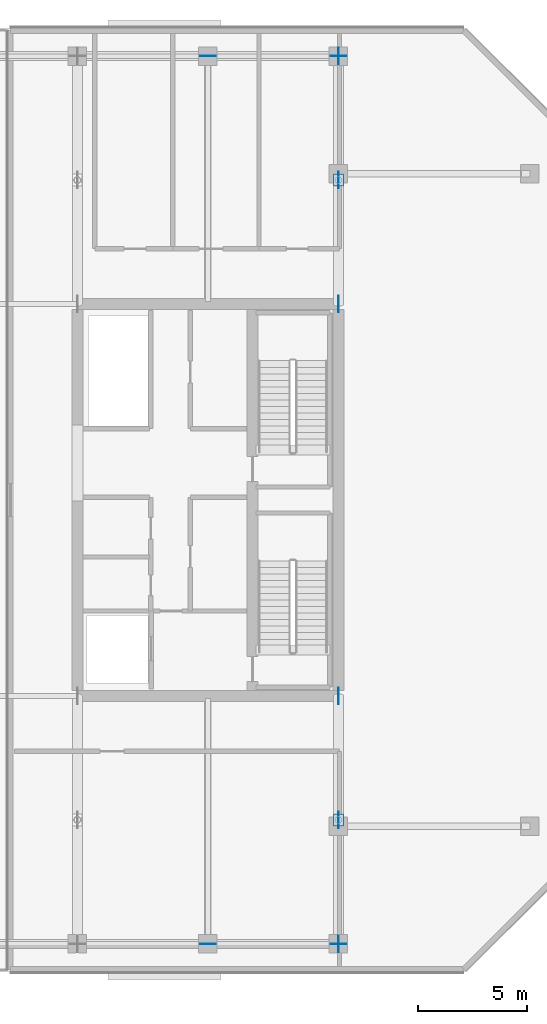
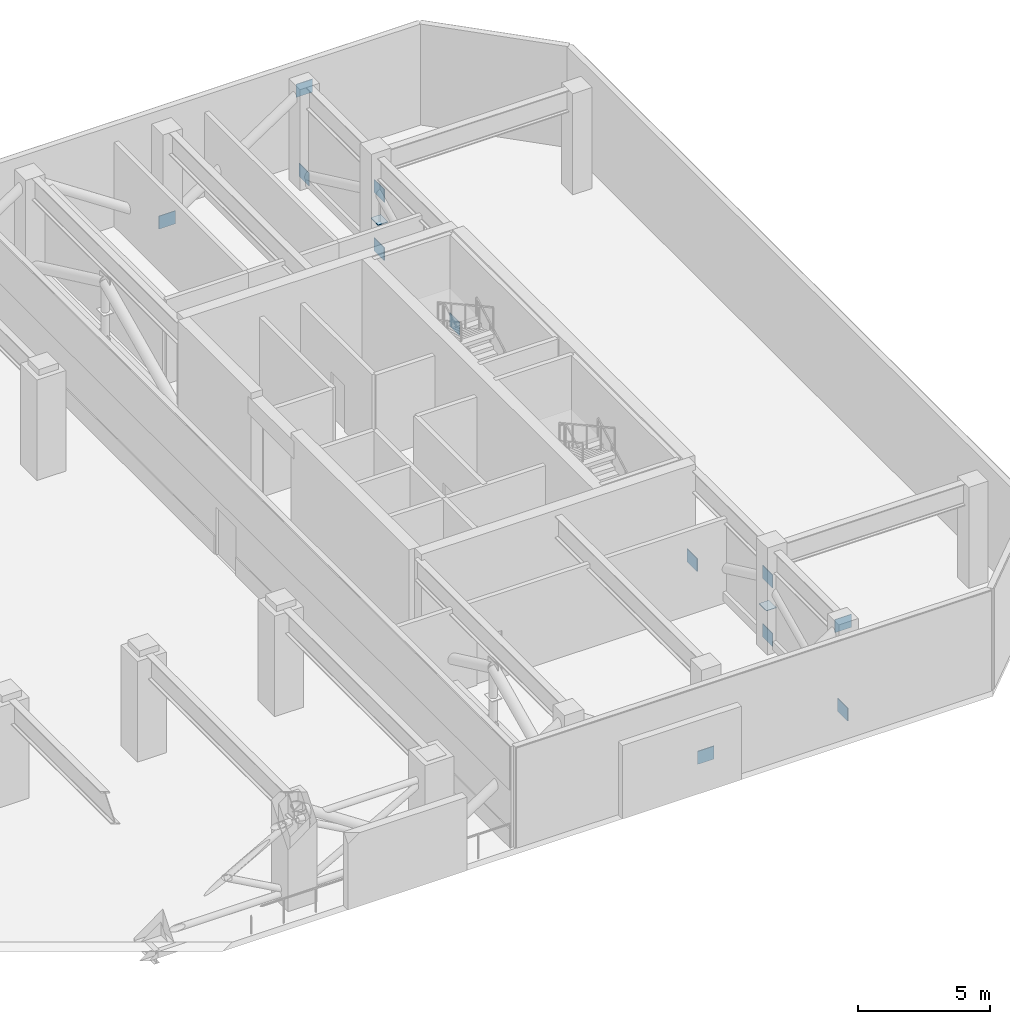
# One storey, part 10 of 18: 14 plates.
"""IFC4 building model written with IfcOpenShell, lengths in metres."""

from ifc_helpers import new_model, si_unit, direction, frame, origin, origin_2d, place, context, subcontext, project, spatial, rectangle, extrude, material, layer, layer_set, type_object, element, save


model = new_model("IFC4")

# Units and contexts
model_context = context("Model", 3, precision=1e-05, world=origin(), true_north=direction((0.0, 1.0)))
body_context = subcontext(model_context, "Body", "Model", "MODEL_VIEW")
ifc_project = project(units=[si_unit("LENGTHUNIT", "METRE"), si_unit("AREAUNIT", "SQUARE_METRE"), si_unit("VOLUMEUNIT", "CUBIC_METRE"), si_unit("PLANEANGLEUNIT", "RADIAN"), si_unit("MASSUNIT", "GRAM", prefix="KILO")], contexts=[model_context])

# Site, building, storey
site_placement = place(None, origin())
site = spatial("IfcSite", under=ifc_project, at=site_placement, CompositionType="ELEMENT")
building_placement = place(site_placement, origin())
building = spatial("IfcBuilding", under=site, at=building_placement, Name="Tanjung Sevakor Pilgrim Tower", CompositionType="ELEMENT")
storey_placement = place(building_placement, frame((0.0, 0.0, 172.919921875)))
storey = spatial("IfcBuildingStorey", under=building, at=storey_placement, Name="L48", CompositionType="ELEMENT", Elevation=172.919921875)

# Plates
ifc_material_1 = material(Name="Steel S460M", Category="steel")
ifc_layer_1 = layer(ifc_material_1, 0.028076171875)
ifc_layer_set_1 = layer_set([ifc_layer_1], Name="PL-CAP-28")
plate_type_1 = type_object("IfcPlateType", Name="PL-CAP-28", PredefinedType="USERDEFINED", material=ifc_layer_set_1)
for number, where, z_axis, x_axis, name in (
    (1, (90.0, 18.89990234375, 1.68115234375), (0.0, 0.0, 1.0), (1.0, 0.0, 0.0), "L48 Hollow End Cap Plate 023"),
    (2, (90.0, 48.300048828125, 1.68115234375), (0.0, 0.0, 1.0), (1.0, 0.0, 0.0), "L48 Hollow End Cap Plate 024"),
):
    element("IfcPlate", number, at=place(storey_placement, frame(where, z_axis=z_axis, x_axis=x_axis)), inside=storey, type_object=plate_type_1, Name=name, ObjectType="CAP PLATE", PredefinedType="USERDEFINED", context=body_context, shape_type="SweptSolid", body=[
        extrude(rectangle(XDim=0.43994140625, YDim=0.56005859375, at=origin_2d()), origin(), (0.0, 0.0, 1.0), 0.028076171875),
    ])
ifc_material_2 = material(Name="Steel S460M", Category="steel")
ifc_layer_2 = layer(ifc_material_2, 0.031982421875)
ifc_layer_set_2 = layer_set([ifc_layer_2], Name="PL-GUSSET-32")
plate_type_2 = type_object("IfcPlateType", Name="PL-GUSSET-32", PredefinedType="USERDEFINED", material=ifc_layer_set_2)
for number, where, z_axis, x_axis, name in (
    (3, (90.0, 13.199951171875, 0.050048828125), (0.0, 0.0, 1.0), (1.0, 0.0, 0.0), "L48 Outrigger Gusset 125"),
    (4, (90.0, 18.89990234375, 0.050048828125), (0.0, 0.0, 1.0), (1.0, 0.0, 0.0), "L48 Outrigger Gusset 126"),
    (5, (90.0, 24.60009765625, 0.050048828125), (0.0, 0.0, 1.0), (1.0, 0.0, 0.0), "L48 Core Wall Cast-In Embed Plate 127"),
    (6, (90.0, 18.89990234375, 2.739990234375), (0.0, 0.0, 1.0), (1.0, 0.0, 0.0), "L48 Outrigger Gusset 128"),
    (7, (90.0, 42.60009765625, 0.050048828125), (0.0, 0.0, 1.0), (1.0, 0.0, 0.0), "L48 Core Wall Cast-In Embed Plate 129"),
    (8, (90.0, 48.300048828125, 0.050048828125), (0.0, 0.0, 1.0), (1.0, 0.0, 0.0), "L48 Outrigger Gusset 130"),
    (9, (90.0, 54.0, 0.050048828125), (0.0, 0.0, 1.0), (1.0, 0.0, 0.0), "L48 Outrigger Gusset 131"),
    (10, (90.0, 48.300048828125, 2.739990234375), (0.0, 0.0, 1.0), (1.0, 0.0, 0.0), "L48 Outrigger Gusset 132"),
):
    element("IfcPlate", number, at=place(storey_placement, frame(where, z_axis=z_axis, x_axis=x_axis)), inside=storey, type_object=plate_type_2, Name=name, ObjectType="GUSSET PLATE", PredefinedType="USERDEFINED", context=body_context, shape_type="SweptSolid", body=[
        extrude(rectangle(XDim=0.031982421875, YDim=0.760009765625, at=origin_2d()), origin(), (0.0, 0.0, 1.0), 0.60009765625),
    ])
for number, where, z_axis, x_axis, name in (
    (11, (84.0, 13.199951171875, 0.050048828125), (0.0, 0.0, 1.0), (1.0, 0.0, 0.0), "L48 Belt Truss Node Gusset 140"),
    (12, (90.0, 13.199951171875, 4.0361328125), (0.0, 0.0, 1.0), (1.0, 0.0, 0.0), "L48 Belt Truss Node Gusset 141"),
    (13, (84.0, 54.0, 0.050048828125), (0.0, 0.0, 1.0), (1.0, 0.0, 0.0), "L48 Belt Truss Node Gusset 149"),
    (14, (90.0, 54.0, 4.0361328125), (0.0, 0.0, 1.0), (1.0, 0.0, 0.0), "L48 Belt Truss Node Gusset 150"),
):
    element("IfcPlate", number, at=place(storey_placement, frame(where, z_axis=z_axis, x_axis=x_axis)), inside=storey, type_object=plate_type_2, Name=name, ObjectType="GUSSET PLATE", PredefinedType="USERDEFINED", context=body_context, shape_type="SweptSolid", body=[
        extrude(rectangle(XDim=0.719970703125, YDim=0.031982421875, at=origin_2d()), origin(), (0.0, 0.0, 1.0), 0.60009765625),
    ])

save(model, "model.ifc")
